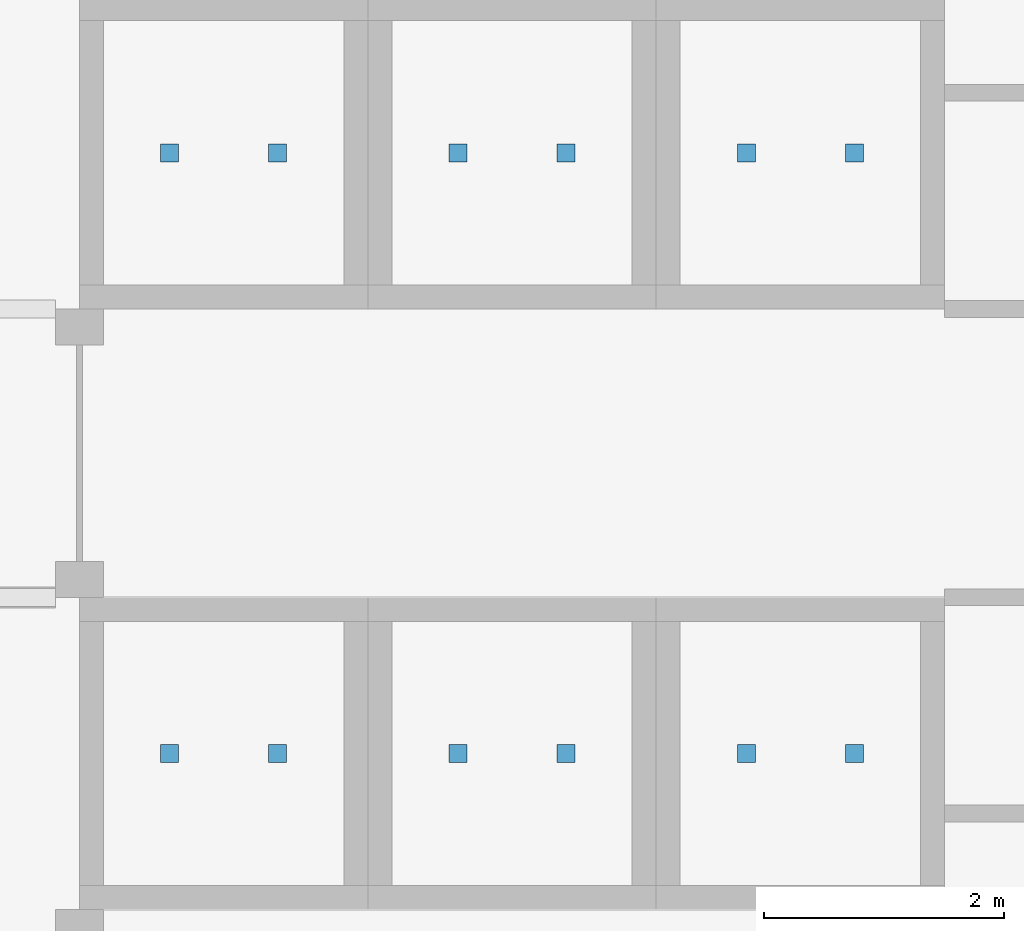
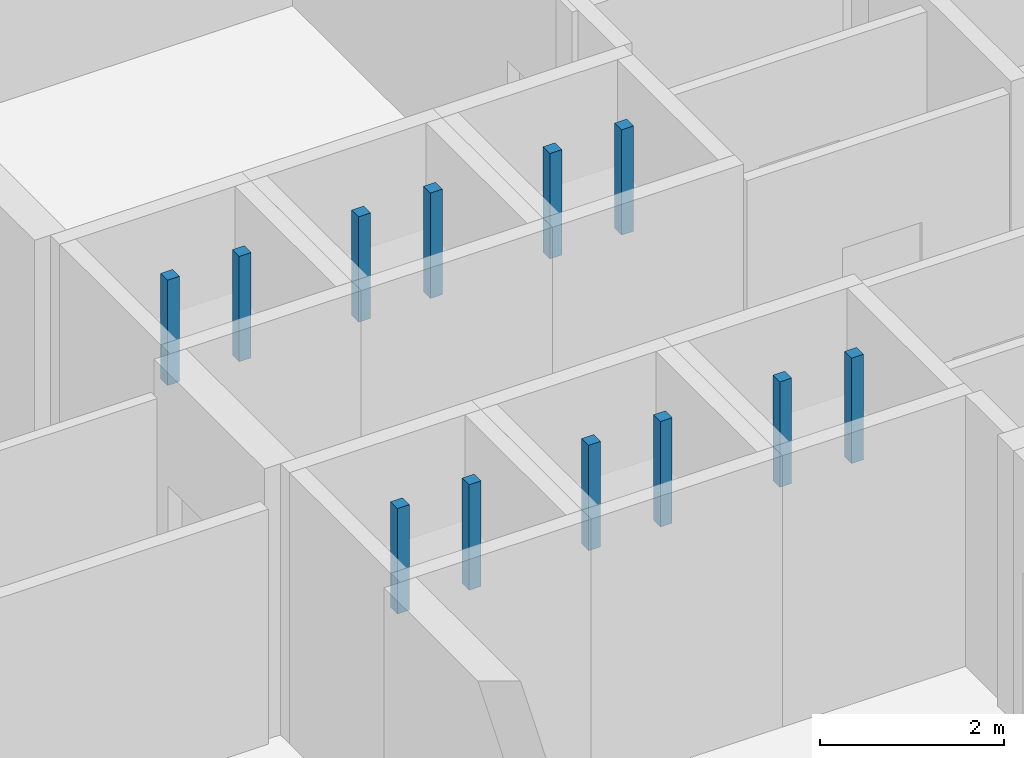
# One storey, part 77 of 90: 12 discrete accessories.
"""IFC4 building model written with IfcOpenShell, lengths in metres."""

import ifcopenshell
import ifcopenshell.guid

model = None  # the IFC model being written
_history = None  # IfcOwnerHistory: only IFC2X3 demands one
_inside = {}  # id of a spatial element -> (the spatial element, [elements in it])
_under = {}  # id of a project, library or spatial element -> (it, [spatial elements below it])
_declared = {}  # id of a project -> (the project, [libraries it declares])
_typed = {}  # id of a type object -> (the type object, [elements of that type])
_made_of = {}  # id of a material, layer set ... -> (it, [elements and type objects made of it])


def new_model(schema):
    """Start an empty IFC model of exactly this schema.

    Asked for "IFC4X3", IfcOpenShell would pick the latest addendum, in which some entities
    have other attributes; the version numbers below select the first issue.
    IFC2X3 requires an IfcOwnerHistory on every rooted entity: one is made here for all.
    """
    global model, _history
    if schema == "IFC4X3":
        model = ifcopenshell.file(schema_version=(4, 3, 0, 0))
    else:
        model = ifcopenshell.file(schema=schema)
    _inside.clear()
    _under.clear()
    _declared.clear()
    _typed.clear()
    _made_of.clear()
    _history = None
    if model.schema == "IFC2X3":
        org = make("IfcOrganization", Name="unknown")
        user = make(
            "IfcPersonAndOrganization",
            ThePerson=make("IfcPerson", FamilyName="unknown"),
            TheOrganization=org,
        )
        app = make(
            "IfcApplication",
            ApplicationDeveloper=org,
            Version="unknown",
            ApplicationFullName="unknown",
            ApplicationIdentifier="unknown",
        )
        _history = make(
            "IfcOwnerHistory",
            OwningUser=user,
            OwningApplication=app,
            ChangeAction="ADDED",
            CreationDate=0,
        )
    return model


def make(cls, **values):
    """One entity of the class cls with the attributes given. An attribute that is None is left unset."""
    return model.create_entity(
        cls, **{name: value for name, value in values.items() if value is not None}
    )


def rooted(cls, **values):
    """An entity with a GlobalId (a new one), such as an element, a storey or a relation."""
    return make(cls, GlobalId=ifcopenshell.guid.new(), OwnerHistory=_history, **values)


def si_unit(unit_type, name, prefix=None):
    """IfcSIUnit, for example si_unit("LENGTHUNIT", "METRE", prefix="MILLI")."""
    return make("IfcSIUnit", UnitType=unit_type, Prefix=prefix, Name=name)


def assignment(units):
    """IfcUnitAssignment: the units of a project."""
    return None if units is None else make("IfcUnitAssignment", Units=units)


def point(xyz):
    """IfcCartesianPoint."""
    return None if xyz is None else make("IfcCartesianPoint", Coordinates=xyz)


def direction(xyz):
    """IfcDirection."""
    return None if xyz is None else make("IfcDirection", DirectionRatios=xyz)


def frame(location, z_axis=None, x_axis=None):
    """IfcAxis2Placement3D, a coordinate frame: its origin and axes. An axis left out is left unset."""
    return make(
        "IfcAxis2Placement3D",
        Location=point(location),
        Axis=direction(z_axis),
        RefDirection=direction(x_axis),
    )


def frame_2d(location, x_axis=None):
    """IfcAxis2Placement2D, a coordinate frame in the plane: its origin and x axis."""
    return make(
        "IfcAxis2Placement2D", Location=point(location), RefDirection=direction(x_axis)
    )


def origin():
    """The frame at (0, 0, 0) with its axes left unset."""
    return frame((0.0, 0.0, 0.0))


def origin_2d():
    """The frame at (0, 0) in the plane with its x axis left unset."""
    return frame_2d((0.0, 0.0))


def place(relative_to, where):
    """IfcLocalPlacement: puts the frame where relative to a parent placement (None: the world)."""
    return make(
        "IfcLocalPlacement", PlacementRelTo=relative_to, RelativePlacement=where
    )


def context(
    kind, dimensions, precision=None, world=None, true_north=None, identifier=None
):
    """IfcGeometricRepresentationContext, for example the 3D "Model" context."""
    return make(
        "IfcGeometricRepresentationContext",
        ContextIdentifier=identifier,
        ContextType=kind,
        CoordinateSpaceDimension=dimensions,
        Precision=precision,
        WorldCoordinateSystem=world,
        TrueNorth=true_north,
    )


def subcontext(parent, identifier, kind, view, scale=None):
    """IfcGeometricRepresentationSubContext, for example "Body" below "Model"."""
    return make(
        "IfcGeometricRepresentationSubContext",
        ContextIdentifier=identifier,
        ContextType=kind,
        ParentContext=parent,
        TargetScale=scale,
        TargetView=view,
    )


def project(units=None, contexts=None):
    """IfcProject with its units and contexts."""
    return rooted(
        "IfcProject",
        Name="project",
        RepresentationContexts=contexts,
        UnitsInContext=assignment(units),
    )


def spatial(cls, under=None, at=None, **own):
    """A site, building, storey or space (cls), placed at a placement, below another one or the project."""
    s = rooted(cls, ObjectPlacement=at, **own)
    if under is not None:
        _under.setdefault(under.id(), (under, []))[1].append(s)
    return s


def profile(cls, at=None, kind="AREA", **sizes):
    """A parametric profile (cls). Its sizes go by their IFC names, for example OverallWidth=200.0."""
    return make(cls, ProfileType=kind, Position=at, **sizes)


def rectangle(**sizes):
    """IfcRectangleProfileDef."""
    return profile("IfcRectangleProfileDef", **sizes)


def extrude(swept, where, along, depth):
    """IfcExtrudedAreaSolid: the profile swept, set in the frame where, extruded along a direction by depth."""
    return make(
        "IfcExtrudedAreaSolid",
        SweptArea=swept,
        Position=where,
        ExtrudedDirection=direction(along),
        Depth=depth,
    )


def shape(context_of_items, identifier, shape_type, items):
    """IfcShapeRepresentation: the items that make up one representation, for example the "Body"."""
    return make(
        "IfcShapeRepresentation",
        ContextOfItems=context_of_items,
        RepresentationIdentifier=identifier,
        RepresentationType=shape_type,
        Items=items,
    )


def material(Name=None, Category=None):
    """IfcMaterial."""
    return make("IfcMaterial", Name=Name, Category=Category)


def layer(
    of_material, thickness, ventilated=None, Name=None, Category=None, Priority=None
):
    """IfcMaterialLayer: one layer of a wall or slab, of a material (None: an air gap)."""
    return make(
        "IfcMaterialLayer",
        Material=of_material,
        LayerThickness=thickness,
        IsVentilated=ventilated,
        Name=Name,
        Category=Category,
        Priority=Priority,
    )


def layer_set(layers, Name=None):
    """IfcMaterialLayerSet."""
    return make("IfcMaterialLayerSet", MaterialLayers=layers, LayerSetName=Name)


def made_of(thing, what):
    """Note that an element or type object is made of a material, layer set ...; save() writes the relation."""
    if what is not None:
        _made_of.setdefault(what.id(), (what, []))[1].append(thing)
    return thing


def type_object(cls, material=None, **own):
    """A type object (cls), such as IfcWallType, which elements share."""
    return made_of(rooted(cls, **own), material)


def element(
    cls,
    number,
    at=None,
    inside=None,
    cuts=None,
    type_object=None,
    material=None,
    context=None,
    identifier="Body",
    shape_type=None,
    held_by="IfcProductDefinitionShape",
    body=None,
    shapes=None,
    **own,
):
    """One element of the class cls, such as IfcWall. Its Tag is "e" and its number.

    at: its placement. inside: the storey or other place that contains it. cuts: it is an
    opening in that element (IfcRelVoidsElement). A single representation is given by context,
    identifier, shape_type and body (its items); several are given by shapes. held_by: the class
    of the entity that holds the representations. save() writes the other relations.
    """
    e = rooted(cls, Tag="e%d" % number, ObjectPlacement=at, **own)
    if body is not None:
        shapes = [shape(context, identifier, shape_type, body)]
    if shapes is not None:
        e.Representation = make(held_by, Representations=shapes)
    if inside is not None:
        _inside.setdefault(inside.id(), (inside, []))[1].append(e)
    if cuts is not None:
        rooted(
            "IfcRelVoidsElement", RelatingBuildingElement=cuts, RelatedOpeningElement=e
        )
    if type_object is not None:
        _typed.setdefault(type_object.id(), (type_object, []))[1].append(e)
    return made_of(e, material)


def aggregate(whole, parts):
    """IfcRelAggregates: a whole, such as a stair, and the parts it consists of."""
    return rooted("IfcRelAggregates", RelatingObject=whole, RelatedObjects=parts)


def save(model, path):
    """Write the relations noted so far, then the file.

    IfcRelAggregates (storeys below a building ...), IfcRelContainedInSpatialStructure (elements
    in a storey), IfcRelDefinesByType, IfcRelAssociatesMaterial and IfcRelDeclares: one each for
    every whole, place, type object, material and project.
    """
    for whole, parts in _under.values():
        aggregate(whole, parts)
    for where, things in _inside.values():
        rooted(
            "IfcRelContainedInSpatialStructure",
            RelatedElements=things,
            RelatingStructure=where,
        )
    for kind, things in _typed.values():
        rooted("IfcRelDefinesByType", RelatedObjects=things, RelatingType=kind)
    for what, things in _made_of.values():
        rooted("IfcRelAssociatesMaterial", RelatedObjects=things, RelatingMaterial=what)
    for by, libraries in _declared.values():
        rooted("IfcRelDeclares", RelatingContext=by, RelatedDefinitions=libraries)
    model.write(path)


model = new_model("IFC4")

# Units and contexts
model_context = context("Model", 3, precision=1e-05, world=origin(), true_north=direction((0.0, 1.0)))
body_context = subcontext(model_context, "Body", "Model", "MODEL_VIEW")
ifc_project = project(units=[si_unit("LENGTHUNIT", "METRE"), si_unit("AREAUNIT", "SQUARE_METRE"), si_unit("VOLUMEUNIT", "CUBIC_METRE"), si_unit("PLANEANGLEUNIT", "RADIAN"), si_unit("MASSUNIT", "GRAM", prefix="KILO")], contexts=[model_context])

# Site, building, storey
site_placement = place(None, origin())
site = spatial("IfcSite", under=ifc_project, at=site_placement, CompositionType="ELEMENT")
building_placement = place(site_placement, origin())
building = spatial("IfcBuilding", under=site, at=building_placement, Name="Kupolbacken Congress Centre", CompositionType="ELEMENT")
storey_placement = place(building_placement, frame((0.0, 0.0, 3.60009765625)))
storey = spatial("IfcBuildingStorey", under=building, at=storey_placement, Name="L01", CompositionType="ELEMENT", Elevation=3.60009765625)

# Discrete accessories
ifc_material = material(Name="Steel S355", Category="steel")
ifc_layer = layer(ifc_material, 0.011962890625)
ifc_layer_set = layer_set([ifc_layer], Name="Steel S355")
discrete_accessory_type = type_object("IfcDiscreteAccessoryType", Name="BK1 bracket 150 x 150 x 12", PredefinedType="BRACKET", material=ifc_layer_set)
for number, where, z_axis, x_axis, name in (
    (1, (94.35009765625, 130.699951171875, 2.199951171875), (0.0, 0.0, 1.0), (1.0, 0.0, 0.0), "Lift car buffer post LP9"),
    (2, (95.25, 130.699951171875, 2.199951171875), (0.0, 0.0, 1.0), (1.0, 0.0, 0.0), "Lift car buffer post LP9"),
    (3, (96.75, 130.699951171875, 2.199951171875), (0.0, 0.0, 1.0), (1.0, 0.0, 0.0), "Lift car buffer post LP10"),
    (4, (97.64990234375, 130.699951171875, 2.199951171875), (0.0, 0.0, 1.0), (1.0, 0.0, 0.0), "Lift car buffer post LP10"),
    (5, (99.14990234375, 130.699951171875, 2.199951171875), (0.0, 0.0, 1.0), (1.0, 0.0, 0.0), "Lift car buffer post LP11"),
    (6, (100.050048828125, 130.699951171875, 2.199951171875), (0.0, 0.0, 1.0), (1.0, 0.0, 0.0), "Lift car buffer post LP11"),
    (7, (94.35009765625, 135.699951171875, 2.199951171875), (0.0, 0.0, 1.0), (1.0, 0.0, 0.0), "Lift car buffer post LP12"),
    (8, (95.25, 135.699951171875, 2.199951171875), (0.0, 0.0, 1.0), (1.0, 0.0, 0.0), "Lift car buffer post LP12"),
    (9, (96.75, 135.699951171875, 2.199951171875), (0.0, 0.0, 1.0), (1.0, 0.0, 0.0), "Lift car buffer post LP13"),
    (10, (97.64990234375, 135.699951171875, 2.199951171875), (0.0, 0.0, 1.0), (1.0, 0.0, 0.0), "Lift car buffer post LP13"),
    (11, (99.14990234375, 135.699951171875, 2.199951171875), (0.0, 0.0, 1.0), (1.0, 0.0, 0.0), "Lift car buffer post LP14"),
    (12, (100.050048828125, 135.699951171875, 2.199951171875), (0.0, 0.0, 1.0), (1.0, 0.0, 0.0), "Lift car buffer post LP14"),
):
    element("IfcDiscreteAccessory", number, at=place(storey_placement, frame(where, z_axis=z_axis, x_axis=x_axis)), inside=storey, type_object=discrete_accessory_type, Name=name, PredefinedType="BRACKET", context=body_context, shape_type="SweptSolid", body=[
        extrude(rectangle(XDim=0.14990234375, YDim=0.14990234375, at=origin_2d()), origin(), (0.0, 0.0, 1.0), 1.39990234375),
    ])

save(model, "model.ifc")
